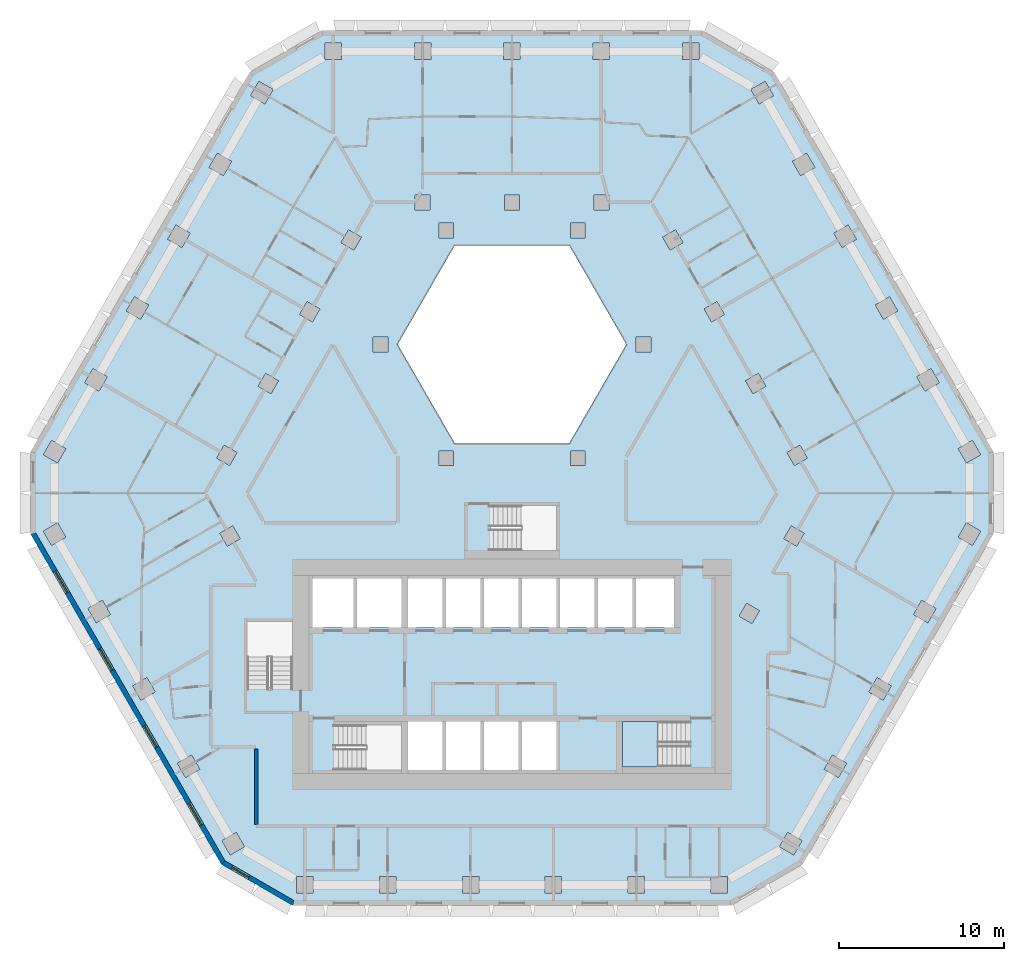
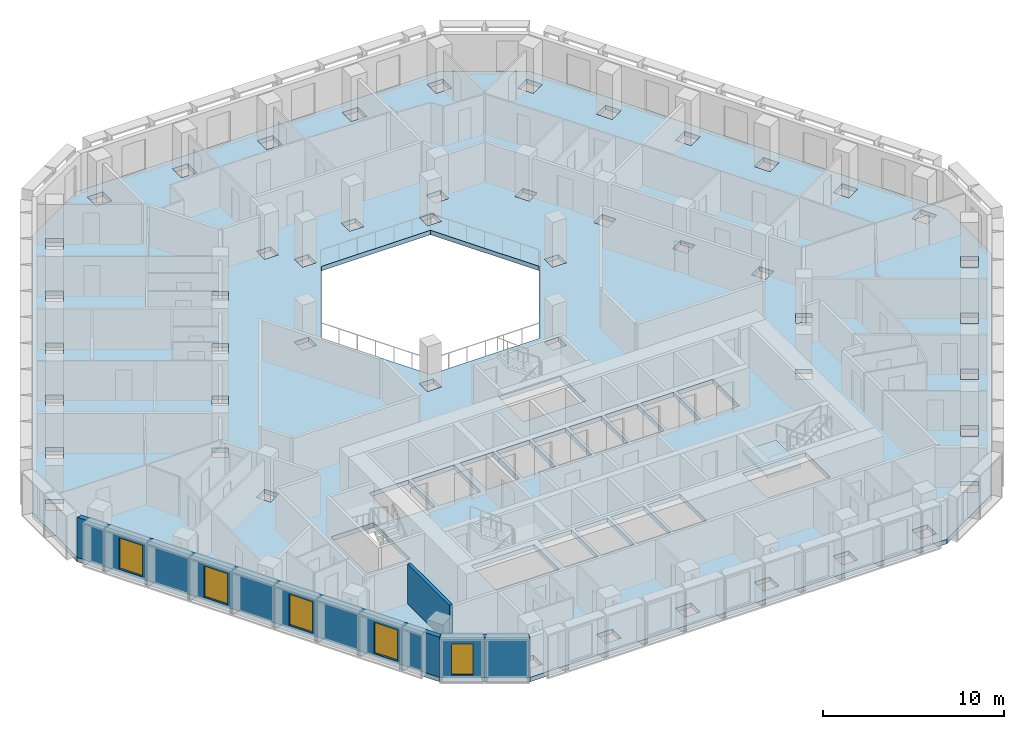
# One storey, part 2 of 15: 5 windows, 3 walls, 2 slabs, 5 openings, 1 element without a shape of its own.
"""IFC4 building model written with IfcOpenShell, lengths in metres."""

from ifc_helpers import new_model, si_unit, direction, frame, frame_2d, origin, place, context, subcontext, project, spatial, polyline, rectangle, outline, extrude, material, layer, layer_set, type_object, element, fill, aggregate, save


model = new_model("IFC4")

# Units and contexts
model_context = context("Model", 3, precision=1e-05, world=origin(), true_north=direction((0.0, 1.0)))
body_context = subcontext(model_context, "Body", "Model", "MODEL_VIEW")
ifc_project = project(units=[si_unit("LENGTHUNIT", "METRE"), si_unit("AREAUNIT", "SQUARE_METRE"), si_unit("VOLUMEUNIT", "CUBIC_METRE"), si_unit("PLANEANGLEUNIT", "RADIAN"), si_unit("MASSUNIT", "GRAM", prefix="KILO")], contexts=[model_context])

# Site, building, storey
site_placement = place(None, origin())
site = spatial("IfcSite", under=ifc_project, at=site_placement, CompositionType="ELEMENT")
building_placement = place(site_placement, origin())
building = spatial("IfcBuilding", under=site, at=building_placement, Name="Beryl Residences", CompositionType="ELEMENT")
storey_placement = place(building_placement, frame((0.0, 0.0, 102.0)))
storey = spatial("IfcBuildingStorey", under=building, at=storey_placement, Name="L31", CompositionType="ELEMENT", Elevation=102.0)

# Slab
ifc_material_1 = material(Name="Concrete C40/50", Category="concrete")
ifc_layer_1 = layer(ifc_material_1, 0.300048828125)
ifc_layer_set_1 = layer_set([ifc_layer_1], Name="SL7 PT floor slab 300 mm C40/50")
slab_type_1 = type_object("IfcSlabType", Name="SL7 PT floor slab 300 mm C40/50", PredefinedType="FLOOR", material=ifc_layer_set_1)
slab_1_placement = place(storey_placement, frame((0.0, 0.0, -0.300048828125)))
element("IfcSlab", 1, at=slab_1_placement, inside=storey, type_object=slab_type_1, Name="L31 slab 1", PredefinedType="FLOOR", context=body_context, shape_type="SweptSolid", body=[
    extrude(outline(polyline([(29.156982421875, -3.5), (17.60888671875, -23.5), (13.279052734375, -26.0), (-13.279052734375, -26.0), (-17.60888671875, -23.5), (-29.156982421875, -3.5), (-29.156982421875, 1.5), (-15.876953125, 24.5), (-11.547119140625, 27.0), (11.547119140625, 27.0), (15.876953125, 24.5), (29.156982421875, 1.5), (29.156982421875, -3.5)]), holes=[polyline([(28.39697265625, 1.31591796875), (27.89697265625, 2.181884765625), (27.031005859375, 1.681884765625), (27.531005859375, 0.81591796875), (28.39697265625, 1.31591796875)]), polyline([(28.39697265625, -3.31591796875), (27.531005859375, -2.81591796875), (27.031005859375, -3.681884765625), (27.89697265625, -4.181884765625), (28.39697265625, -3.31591796875)]), polyline([(25.385009765625, 6.532958984375), (24.51904296875, 6.032958984375), (25.01904296875, 5.1669921875), (25.885009765625, 5.6669921875), (25.385009765625, 6.532958984375)]), polyline([(25.68994140625, -8.00390625), (24.823974609375, -7.50390625), (24.323974609375, -8.3701171875), (25.18994140625, -8.8701171875), (25.68994140625, -8.00390625)]), polyline([(22.873046875, 10.883056640625), (22.007080078125, 10.383056640625), (22.507080078125, 9.51708984375), (23.373046875, 10.01708984375), (22.873046875, 10.883056640625)]), polyline([(22.116943359375, -12.19189453125), (21.616943359375, -13.05810546875), (22.48291015625, -13.55810546875), (22.98291015625, -12.69189453125), (22.116943359375, -12.19189453125)]), polyline([(20.362060546875, 15.23291015625), (19.49609375, 14.73291015625), (19.99609375, 13.866943359375), (20.862060546875, 14.366943359375), (20.362060546875, 15.23291015625)]), polyline([(19.777099609375, -18.24609375), (20.277099609375, -17.3798828125), (19.410888671875, -16.8798828125), (18.910888671875, -17.74609375), (19.777099609375, -18.24609375)]), polyline([(17.85009765625, 19.5830078125), (16.98388671875, 19.0830078125), (17.48388671875, 18.217041015625), (18.35009765625, 18.717041015625), (17.85009765625, 19.5830078125)]), polyline([(17.443115234375, 1.888916015625), (16.6630859375, 1.43896484375), (17.113037109375, 0.658935546875), (17.89306640625, 1.10888671875), (17.443115234375, 1.888916015625)]), polyline([(17.697998046875, -3.447021484375), (16.91796875, -2.9970703125), (16.468017578125, -3.777099609375), (17.248046875, -4.22705078125), (17.697998046875, -3.447021484375)]), polyline([(17.570068359375, -22.068115234375), (16.7041015625, -21.568115234375), (16.2041015625, -22.43408203125), (17.070068359375, -22.93408203125), (17.570068359375, -22.068115234375)]), polyline([(15.839111328125, 23.06689453125), (15.339111328125, 23.93310546875), (14.472900390625, 23.43310546875), (14.972900390625, 22.56689453125), (15.839111328125, 23.06689453125)]), polyline([(14.930908203125, 6.239990234375), (14.15087890625, 5.7900390625), (14.60107421875, 5.010009765625), (15.381103515625, 5.4599609375), (14.930908203125, 6.239990234375)]), polyline([(14.990966796875, -8.135009765625), (14.2109375, -7.68505859375), (13.760986328125, -8.465087890625), (14.541015625, -8.9150390625), (14.990966796875, -8.135009765625)]), polyline([(13.05810546875, -25.25), (13.05810546875, -24.25), (12.05810546875, -24.25), (12.05810546875, -25.25), (13.05810546875, -25.25)]), polyline([(12.419921875, 10.590087890625), (11.639892578125, 10.139892578125), (12.090087890625, 9.360107421875), (12.8701171875, 9.81005859375), (12.419921875, 10.590087890625)]), polyline([(11.324951171875, 26.25), (10.324951171875, 26.25), (10.324951171875, 25.25), (11.324951171875, 25.25), (11.324951171875, 26.25)]), polyline([(10.699951171875, -14.85009765625), (6.699951171875, -14.85009765625), (6.699951171875, -17.60009765625), (10.699951171875, -17.60009765625), (10.699951171875, -14.85009765625)]), polyline([(9.1279296875, 14.489990234375), (9.577880859375, 13.7099609375), (10.35791015625, 14.159912109375), (9.907958984375, 14.93994140625), (9.1279296875, 14.489990234375)]), polyline([(9.800048828125, -6.199951171875), (7.5, -6.199951171875), (7.5, -9.14990234375), (9.800048828125, -9.14990234375), (9.800048828125, -6.199951171875)]), polyline([(8.4169921875, 7.550048828125), (8.4169921875, 8.449951171875), (7.51708984375, 8.449951171875), (7.51708984375, 7.550048828125), (8.4169921875, 7.550048828125)]), polyline([(8.034912109375, -25.25), (8.034912109375, -24.25), (7.034912109375, -24.25), (7.034912109375, -25.25), (8.034912109375, -25.25)]), polyline([(5.199951171875, -6.199951171875), (5.199951171875, -9.14990234375), (7.300048828125, -9.14990234375), (7.300048828125, -6.199951171875), (5.199951171875, -6.199951171875)]), polyline([(3.464111328125, 14.0), (-3.464111328125, 14.0), (-6.92822265625, 8.0), (-3.464111328125, 2.0), (3.464111328125, 2.0), (6.92822265625, 8.0), (3.464111328125, 14.0)]), polyline([(4.912109375, 26.25), (4.912109375, 25.25), (5.912109375, 25.25), (5.912109375, 26.25), (4.912109375, 26.25)]), polyline([(4.9619140625, 17.050048828125), (4.9619140625, 16.14990234375), (5.862060546875, 16.14990234375), (5.862060546875, 17.050048828125), (4.9619140625, 17.050048828125)]), polyline([(2.89990234375, -9.14990234375), (5.0, -9.14990234375), (5.0, -6.199951171875), (2.89990234375, -6.199951171875), (2.89990234375, -9.14990234375)]), polyline([(4.43408203125, 14.449951171875), (4.43408203125, 15.35009765625), (3.533935546875, 15.35009765625), (3.533935546875, 14.449951171875), (4.43408203125, 14.449951171875)]), polyline([(4.43408203125, 0.64990234375), (4.43408203125, 1.550048828125), (3.533935546875, 1.550048828125), (3.533935546875, 0.64990234375), (4.43408203125, 0.64990234375)]), polyline([(2.011962890625, -25.25), (3.011962890625, -25.25), (3.011962890625, -24.25), (2.011962890625, -24.25), (2.011962890625, -25.25)]), polyline([(0.60009765625, -6.199951171875), (0.60009765625, -9.14990234375), (2.699951171875, -9.14990234375), (2.699951171875, -6.199951171875), (0.60009765625, -6.199951171875)]), polyline([(0.60009765625, -17.800048828125), (2.699951171875, -17.800048828125), (2.699951171875, -14.85009765625), (0.60009765625, -14.85009765625), (0.60009765625, -17.800048828125)]), polyline([(-1.300048828125, -1.75), (-1.300048828125, -4.5), (2.699951171875, -4.5), (2.699951171875, -1.75), (-1.300048828125, -1.75)]), polyline([(-0.5009765625, 25.25), (0.4990234375, 25.25), (0.4990234375, 26.25), (-0.5009765625, 26.25), (-0.5009765625, 25.25)]), polyline([(-0.450927734375, 17.050048828125), (-0.450927734375, 16.14990234375), (0.448974609375, 16.14990234375), (0.448974609375, 17.050048828125), (-0.450927734375, 17.050048828125)]), polyline([(-1.699951171875, -9.14990234375), (0.39990234375, -9.14990234375), (0.39990234375, -6.199951171875), (-1.699951171875, -6.199951171875), (-1.699951171875, -9.14990234375)]), polyline([(-1.699951171875, -17.800048828125), (0.39990234375, -17.800048828125), (0.39990234375, -14.85009765625), (-1.699951171875, -14.85009765625), (-1.699951171875, -17.800048828125)]), polyline([(-4.0, -9.14990234375), (-1.89990234375, -9.14990234375), (-1.89990234375, -6.199951171875), (-4.0, -6.199951171875), (-4.0, -9.14990234375)]), polyline([(-4.0, -17.800048828125), (-1.89990234375, -17.800048828125), (-1.89990234375, -14.85009765625), (-4.0, -14.85009765625), (-4.0, -17.800048828125)]), polyline([(-2.010986328125, -25.25), (-2.010986328125, -24.25), (-3.010986328125, -24.25), (-3.010986328125, -25.25), (-2.010986328125, -25.25)]), polyline([(-3.533935546875, 14.449951171875), (-3.533935546875, 15.35009765625), (-4.43408203125, 15.35009765625), (-4.43408203125, 14.449951171875), (-3.533935546875, 14.449951171875)]), polyline([(-3.533935546875, 0.64990234375), (-3.533935546875, 1.550048828125), (-4.43408203125, 1.550048828125), (-4.43408203125, 0.64990234375), (-3.533935546875, 0.64990234375)]), polyline([(-6.300048828125, -17.800048828125), (-4.199951171875, -17.800048828125), (-4.199951171875, -14.85009765625), (-6.300048828125, -14.85009765625), (-6.300048828125, -17.800048828125)]), polyline([(-6.300048828125, -9.14990234375), (-4.199951171875, -9.14990234375), (-4.199951171875, -6.199951171875), (-6.300048828125, -6.199951171875), (-6.300048828125, -9.14990234375)]), polyline([(-5.9140625, 26.25), (-5.9140625, 25.25), (-4.9140625, 25.25), (-4.9140625, 26.25), (-5.9140625, 26.25)]), polyline([(-5.864013671875, 16.14990234375), (-4.964111328125, 16.14990234375), (-4.964111328125, 17.050048828125), (-5.864013671875, 17.050048828125), (-5.864013671875, 16.14990234375)]), polyline([(-6.699951171875, -17.800048828125), (-6.699951171875, -15.050048828125), (-10.699951171875, -15.050048828125), (-10.699951171875, -17.800048828125), (-6.699951171875, -17.800048828125)]), polyline([(-9.39990234375, -9.14990234375), (-6.699951171875, -9.14990234375), (-6.699951171875, -6.199951171875), (-9.39990234375, -6.199951171875), (-9.39990234375, -9.14990234375)]), polyline([(-7.033935546875, -25.25), (-7.033935546875, -24.25), (-8.033935546875, -24.25), (-8.033935546875, -25.25), (-7.033935546875, -25.25)]), polyline([(-8.4169921875, 7.550048828125), (-7.51708984375, 7.550048828125), (-7.51708984375, 8.449951171875), (-8.4169921875, 8.449951171875), (-8.4169921875, 7.550048828125)]), polyline([(-9.577880859375, 13.7099609375), (-9.1279296875, 14.489990234375), (-9.907958984375, 14.93994140625), (-10.35791015625, 14.159912109375), (-9.577880859375, 13.7099609375)]), polyline([(-12.10009765625, -9.14990234375), (-9.60009765625, -9.14990234375), (-9.60009765625, -6.199951171875), (-12.10009765625, -6.199951171875), (-12.10009765625, -9.14990234375)]), polyline([(-11.326904296875, 26.25), (-11.326904296875, 25.25), (-10.326904296875, 25.25), (-10.326904296875, 26.25), (-11.326904296875, 26.25)]), polyline([(-12.868896484375, 9.81005859375), (-12.089111328125, 9.360107421875), (-11.638916015625, 10.139892578125), (-12.4189453125, 10.590087890625), (-12.868896484375, 9.81005859375)]), polyline([(-12.056884765625, -24.25), (-13.056884765625, -24.25), (-13.056884765625, -25.25), (-12.056884765625, -25.25), (-12.056884765625, -24.25)]), polyline([(-13.300048828125, -8.800048828125), (-16.050048828125, -8.800048828125), (-16.050048828125, -12.800048828125), (-13.300048828125, -12.800048828125), (-13.300048828125, -8.800048828125)]), polyline([(-15.381103515625, 5.4599609375), (-14.60107421875, 5.010009765625), (-14.15087890625, 5.7900390625), (-14.930908203125, 6.239990234375), (-15.381103515625, 5.4599609375)]), polyline([(-14.971923828125, 22.568115234375), (-14.471923828125, 23.43408203125), (-15.337890625, 23.93408203125), (-15.837890625, 23.068115234375), (-14.971923828125, 22.568115234375)]), polyline([(-17.070068359375, -22.93408203125), (-16.2041015625, -22.43408203125), (-16.7041015625, -21.568115234375), (-17.570068359375, -22.068115234375), (-17.070068359375, -22.93408203125)]), polyline([(-17.248046875, -4.22705078125), (-16.468017578125, -3.777099609375), (-16.91796875, -2.9970703125), (-17.697998046875, -3.447021484375), (-17.248046875, -4.22705078125)]), polyline([(-17.89208984375, 1.110107421875), (-17.112060546875, 0.659912109375), (-16.662109375, 1.43994140625), (-17.44189453125, 1.889892578125), (-17.89208984375, 1.110107421875)]), polyline([(-18.35009765625, 18.717041015625), (-17.48388671875, 18.217041015625), (-16.98388671875, 19.0830078125), (-17.85009765625, 19.5830078125), (-18.35009765625, 18.717041015625)]), polyline([(-19.777099609375, -18.24609375), (-18.910888671875, -17.74609375), (-19.410888671875, -16.8798828125), (-20.277099609375, -17.3798828125), (-19.777099609375, -18.24609375)]), polyline([(-20.861083984375, 14.366943359375), (-19.9951171875, 13.866943359375), (-19.4951171875, 14.73291015625), (-20.361083984375, 15.23291015625), (-20.861083984375, 14.366943359375)]), polyline([(-21.616943359375, -13.05810546875), (-22.116943359375, -12.19189453125), (-22.98291015625, -12.69189453125), (-22.48291015625, -13.55810546875), (-21.616943359375, -13.05810546875)]), polyline([(-23.373046875, 10.01708984375), (-22.507080078125, 9.51708984375), (-22.007080078125, 10.383056640625), (-22.873046875, 10.883056640625), (-23.373046875, 10.01708984375)]), polyline([(-25.18994140625, -8.8701171875), (-24.323974609375, -8.3701171875), (-24.823974609375, -7.50390625), (-25.68994140625, -8.00390625), (-25.18994140625, -8.8701171875)]), polyline([(-25.385009765625, 6.532958984375), (-25.885009765625, 5.6669921875), (-25.01904296875, 5.1669921875), (-24.51904296875, 6.032958984375), (-25.385009765625, 6.532958984375)]), polyline([(-28.39599609375, 1.31689453125), (-27.530029296875, 0.81689453125), (-27.030029296875, 1.68310546875), (-27.89599609375, 2.18310546875), (-28.39599609375, 1.31689453125)]), polyline([(-27.031005859375, -3.681884765625), (-27.531005859375, -2.81591796875), (-28.39697265625, -3.31591796875), (-27.89697265625, -4.181884765625), (-27.031005859375, -3.681884765625)])]), origin(), (0.0, 0.0, 1.0), 0.300048828125),
])

# Stair, slab
ifc_material_2 = material(Name="Concrete C40/50", Category="concrete")
stair_type = type_object("IfcStairType", Name="ST1 protected exit stair, half-turn, 1300 mm flights", PredefinedType="HALF_TURN_STAIR", material=ifc_material_2)
stair_placement = place(storey_placement, origin())
stair = element("IfcStair", 2, at=stair_placement, inside=storey, type_object=stair_type, Name="L31 PROTECTED EXIT STAIR ST-3", PredefinedType="HALF_TURN_STAIR")
ifc_material_3 = material(Name="Concrete C40/50", Category="concrete")
ifc_layer_2 = layer(ifc_material_3, 0.199951171875)
ifc_layer_set_2 = layer_set([ifc_layer_2], Name="SLD1 stair landing 200 mm")
slab_type_2 = type_object("IfcSlabType", Name="SLD1 stair landing 200 mm", PredefinedType="LANDING", material=ifc_layer_set_2)
slab_2_placement = place(storey_placement, frame((0.0, 0.0, 1.300048828125)))
slab_2 = element("IfcSlab", 3, at=slab_2_placement, type_object=slab_type_2, Name="ST-3 landing 1", PredefinedType="LANDING", context=body_context, shape_type="SweptSolid", body=[
    extrude(outline(polyline([(8.840087890625, -14.85009765625), (6.699951171875, -14.85009765625), (6.699951171875, -17.60009765625), (8.840087890625, -17.60009765625), (8.840087890625, -14.85009765625)])), origin(), (0.0, 0.0, 1.0), 0.199951171875),
])
aggregate(stair, [slab_2])

# Wall, openings, windows
ifc_material_4 = material(Name="Composite metal panel with mineral wool insulation")
ifc_layer_3 = layer(ifc_material_4, 0.300048828125)
ifc_layer_set_3 = layer_set([ifc_layer_3], Name="ES1 pale metal composite panel wall 300 mm")
wall_type_1 = type_object("IfcWallType", Name="ES1 pale metal composite panel wall 300 mm", PredefinedType="SOLIDWALL", material=ifc_layer_set_3)
wall_1_placement = place(storey_placement, frame((-29.027099609375, -3.425048828125, 0.0), z_axis=(0.0, 0.0, 1.0), x_axis=(0.500035407905, -0.866004960056, 0.0)))
wall_1 = element("IfcWall", 4, at=wall_1_placement, inside=storey, type_object=wall_type_1, Name="ES1 external wall L31 SW", PredefinedType="SOLIDWALL", context=body_context, shape_type="SweptSolid", body=[
    extrude(outline(polyline([(0.0, -0.14990234375), (23.094482421875, -0.14990234375), (23.01416015625, 0.14990234375), (0.080322265625, 0.14990234375), (0.0, -0.14990234375)])), origin(), (0.0, 0.0, 1.0), 2.699951171875),
])
opening_1_placement = place(wall_1_placement, frame((2.677001953125, 0.0, 0.14990234375)))
opening_1 = element("IfcOpeningElement", 5, at=opening_1_placement, cuts=wall_1, Name="Opening W1", PredefinedType="OPENING", context=body_context, shape_type="SweptSolid", body=[
    extrude(rectangle(XDim=1.5, YDim=2.10009765625, at=frame_2d((0.75, 1.050048828125))), frame((0.0, 0.159912109375, 0.0), z_axis=(0.0, -1.0, 0.0), x_axis=(1.0, 0.0, 0.0)), (0.0, 0.0, 1.0), 0.320068359375),
])
opening_2_placement = place(wall_1_placement, frame((8.091064453125, 0.0, 0.14990234375)))
opening_2 = element("IfcOpeningElement", 6, at=opening_2_placement, cuts=wall_1, Name="Opening W1", PredefinedType="OPENING", context=body_context, shape_type="SweptSolid", body=[
    extrude(rectangle(XDim=1.5, YDim=2.10009765625, at=frame_2d((0.75, 1.050048828125))), frame((0.0, 0.159912109375, 0.0), z_axis=(0.0, -1.0, 0.0), x_axis=(1.0, 0.0, 0.0)), (0.0, 0.0, 1.0), 0.320068359375),
])
opening_3_placement = place(wall_1_placement, frame((13.50390625, 0.0, 0.14990234375)))
opening_3 = element("IfcOpeningElement", 7, at=opening_3_placement, cuts=wall_1, Name="Opening W1", PredefinedType="OPENING", context=body_context, shape_type="SweptSolid", body=[
    extrude(rectangle(XDim=1.5, YDim=2.10009765625, at=frame_2d((0.75, 1.050048828125))), frame((0.0, 0.159912109375, 0.0), z_axis=(0.0, -1.0, 0.0), x_axis=(1.0, 0.0, 0.0)), (0.0, 0.0, 1.0), 0.320068359375),
])
opening_4_placement = place(wall_1_placement, frame((18.9169921875, 0.0, 0.14990234375)))
opening_4 = element("IfcOpeningElement", 8, at=opening_4_placement, cuts=wall_1, Name="Opening W1", PredefinedType="OPENING", context=body_context, shape_type="SweptSolid", body=[
    extrude(rectangle(XDim=1.5, YDim=2.10009765625, at=frame_2d((0.75, 1.050048828125))), frame((0.0, 0.159912109375, 0.0), z_axis=(0.0, -1.0, 0.0), x_axis=(1.0, 0.0, 0.0)), (0.0, 0.0, 1.0), 0.320068359375),
])
ifc_material_5 = material(Name="Aluminium and clear glass", Category="aluminium")
window_type_1 = type_object("IfcWindowType", Name="W1 cell window 1500 x 2100 mm", PartitioningType="SINGLE_PANEL", PredefinedType="WINDOW", material=ifc_material_5)
window_1_placement = place(opening_1_placement, origin())
window_1 = element("IfcWindow", 9, at=window_1_placement, inside=storey, type_object=window_type_1, Name="W1 window L31 SW 2", OverallHeight=2.10009765625, OverallWidth=1.5, PartitioningType="SINGLE_PANEL", PredefinedType="WINDOW", context=body_context, shape_type="SweptSolid", body=[
    extrude(rectangle(XDim=1.5, YDim=2.10009765625, at=frame_2d((0.75, 1.050048828125))), frame((0.0, 0.030029296875, 0.0), z_axis=(0.0, -1.0, 0.0), x_axis=(1.0, 0.0, 0.0)), (0.0, 0.0, 1.0), 0.06005859375),
])
fill(opening_1, window_1)
window_2_placement = place(opening_2_placement, origin())
window_2 = element("IfcWindow", 10, at=window_2_placement, inside=storey, type_object=window_type_1, Name="W1 window L31 SW 4", OverallHeight=2.10009765625, OverallWidth=1.5, PartitioningType="SINGLE_PANEL", PredefinedType="WINDOW", context=body_context, shape_type="SweptSolid", body=[
    extrude(rectangle(XDim=1.5, YDim=2.10009765625, at=frame_2d((0.75, 1.050048828125))), frame((0.0, 0.030029296875, 0.0), z_axis=(0.0, -1.0, 0.0), x_axis=(1.0, 0.0, 0.0)), (0.0, 0.0, 1.0), 0.06005859375),
])
fill(opening_2, window_2)
window_3_placement = place(opening_3_placement, origin())
window_3 = element("IfcWindow", 11, at=window_3_placement, inside=storey, type_object=window_type_1, Name="W1 window L31 SW 6", OverallHeight=2.10009765625, OverallWidth=1.5, PartitioningType="SINGLE_PANEL", PredefinedType="WINDOW", context=body_context, shape_type="SweptSolid", body=[
    extrude(rectangle(XDim=1.5, YDim=2.10009765625, at=frame_2d((0.75, 1.050048828125))), frame((0.0, 0.030029296875, 0.0), z_axis=(0.0, -1.0, 0.0), x_axis=(1.0, 0.0, 0.0)), (0.0, 0.0, 1.0), 0.06005859375),
])
fill(opening_3, window_3)
window_4_placement = place(opening_4_placement, origin())
window_4 = element("IfcWindow", 12, at=window_4_placement, inside=storey, type_object=window_type_1, Name="W1 window L31 SW 8", OverallHeight=2.10009765625, OverallWidth=1.5, PartitioningType="SINGLE_PANEL", PredefinedType="WINDOW", context=body_context, shape_type="SweptSolid", body=[
    extrude(rectangle(XDim=1.5, YDim=2.10009765625, at=frame_2d((0.75, 1.050048828125))), frame((0.0, 0.030029296875, 0.0), z_axis=(0.0, -1.0, 0.0), x_axis=(1.0, 0.0, 0.0)), (0.0, 0.0, 1.0), 0.06005859375),
])
fill(opening_4, window_4)

# Wall, opening, window
wall_2_placement = place(storey_placement, frame((-17.533935546875, -23.3701171875, 0.0), z_axis=(0.0, 0.0, 1.0), x_axis=(0.866010750942, -0.50002537861, 0.0)))
wall_2 = element("IfcWall", 13, at=wall_2_placement, inside=storey, type_object=wall_type_1, Name="ES1 external wall L31 SW-S", PredefinedType="SOLIDWALL", context=body_context, shape_type="SweptSolid", body=[
    extrude(outline(polyline([(0.0, -0.14990234375), (4.999755859375, -0.14990234375), (4.91943359375, 0.14990234375), (0.080322265625, 0.14990234375), (0.0, -0.14990234375)])), origin(), (0.0, 0.0, 1.0), 2.699951171875),
])
opening_5_placement = place(wall_2_placement, frame((0.64990234375, 0.0, 0.14990234375)))
opening_5 = element("IfcOpeningElement", 14, at=opening_5_placement, cuts=wall_2, Name="Opening W2", PredefinedType="OPENING", context=body_context, shape_type="SweptSolid", body=[
    extrude(rectangle(XDim=1.199951171875, YDim=2.10009765625, at=frame_2d((0.60009765625, 1.050048828125))), frame((0.0, 0.159912109375, 0.0), z_axis=(0.0, -1.0, 0.0), x_axis=(1.0, 0.0, 0.0)), (0.0, 0.0, 1.0), 0.320068359375),
])
ifc_material_6 = material(Name="Aluminium and clear glass", Category="aluminium")
window_type_2 = type_object("IfcWindowType", Name="W2 chamfer window 1200 x 2100 mm", PartitioningType="SINGLE_PANEL", PredefinedType="WINDOW", material=ifc_material_6)
window_5_placement = place(opening_5_placement, origin())
window_5 = element("IfcWindow", 15, at=window_5_placement, inside=storey, type_object=window_type_2, Name="W2 window L31 SW-S 1", OverallHeight=2.10009765625, OverallWidth=1.199951171875, PartitioningType="SINGLE_PANEL", PredefinedType="WINDOW", context=body_context, shape_type="SweptSolid", body=[
    extrude(rectangle(XDim=1.199951171875, YDim=2.10009765625, at=frame_2d((0.60009765625, 1.050048828125))), frame((0.0, 0.030029296875, 0.0), z_axis=(0.0, -1.0, 0.0), x_axis=(1.0, 0.0, 0.0)), (0.0, 0.0, 1.0), 0.06005859375),
])
fill(opening_5, window_5)

# Wall
ifc_material_7 = material(Name="Double stud gypsum board wall")
ifc_layer_4 = layer(ifc_material_7, 0.199951171875)
ifc_layer_set_4 = layer_set([ifc_layer_4], Name="PT4 corridor wall 200 mm double stud")
wall_type_2 = type_object("IfcWallType", Name="PT4 corridor wall 200 mm double stud", PredefinedType="PARTITIONING", material=ifc_layer_set_4)
wall_3_placement = place(storey_placement, frame((-15.5, -16.5009765625, 0.0), z_axis=(0.0, 0.0, 1.0), x_axis=(0.0, -1.0, 0.0)))
element("IfcWall", 16, at=wall_3_placement, inside=storey, type_object=wall_type_2, Name="Wall PT4 L31 007", PredefinedType="PARTITIONING", context=body_context, shape_type="SweptSolid", body=[
    extrude(rectangle(XDim=4.59814453125, YDim=0.199951171875, at=frame_2d((2.299072265625, 0.0))), origin(), (0.0, 0.0, 1.0), 2.699951171875),
])

save(model, "model.ifc")
